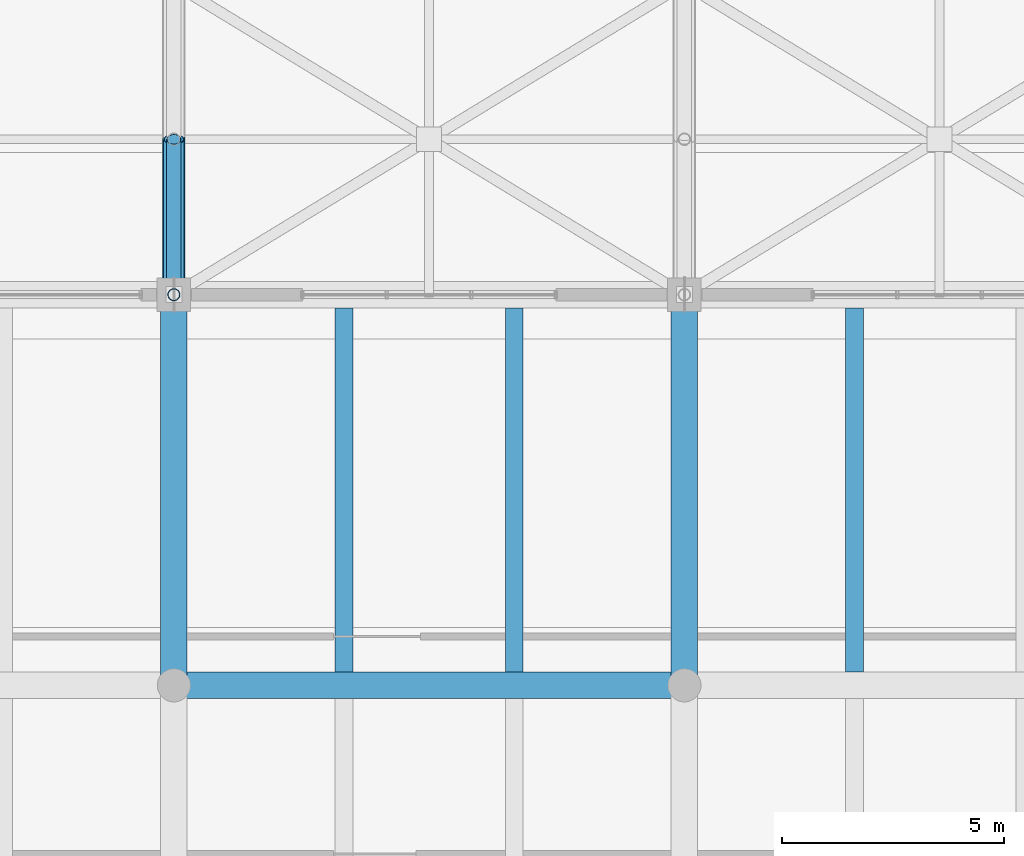
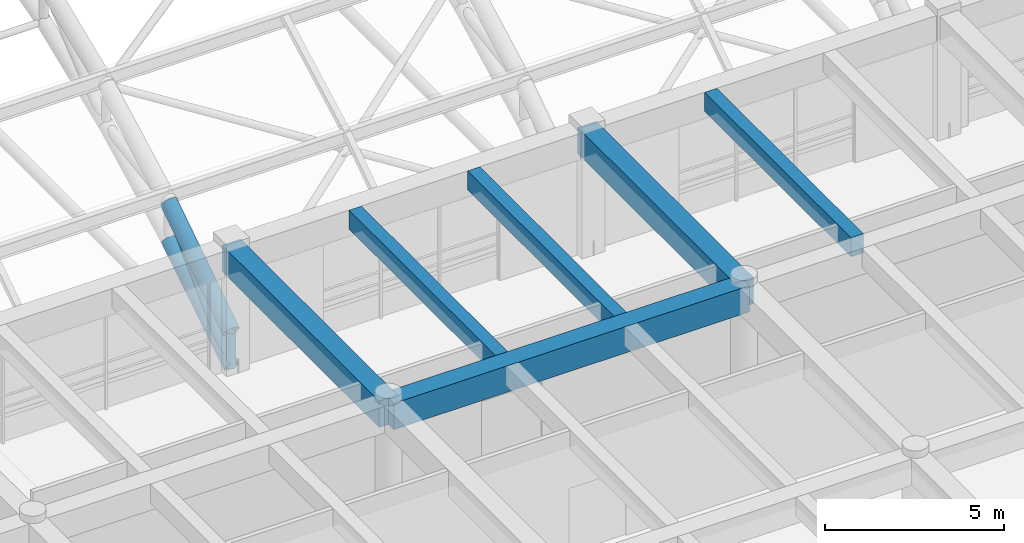
# One storey, part 35 of 154: 6 beams, 4 members.
"""IFC4 building model written with IfcOpenShell, lengths in metres."""

from ifc_helpers import new_model, si_unit, direction, frame, origin, origin_2d, place, context, subcontext, project, spatial, rectangle, hollow_circle, extrude, material, material_profile, profile_set, type_object, element, save


model = new_model("IFC4")

# Units and contexts
model_context = context("Model", 3, precision=1e-05, world=origin(), true_north=direction((0.0, 1.0)))
body_context = subcontext(model_context, "Body", "Model", "MODEL_VIEW")
ifc_project = project(units=[si_unit("LENGTHUNIT", "METRE"), si_unit("AREAUNIT", "SQUARE_METRE"), si_unit("VOLUMEUNIT", "CUBIC_METRE"), si_unit("PLANEANGLEUNIT", "RADIAN"), si_unit("MASSUNIT", "GRAM", prefix="KILO")], contexts=[model_context])

# Site, building, storey
site_placement = place(None, origin())
site = spatial("IfcSite", under=ifc_project, at=site_placement, CompositionType="ELEMENT")
building_placement = place(site_placement, origin())
building = spatial("IfcBuilding", under=site, at=building_placement, Name="Ologun Quay Terminus", CompositionType="ELEMENT")
storey_placement = place(building_placement, frame((0.0, 0.0, 13.800048828125)))
storey = spatial("IfcBuildingStorey", under=building, at=storey_placement, Name="L03", CompositionType="ELEMENT", Elevation=13.800048828125)

# Members
ifc_material_1 = material(Name="Steel S355", Category="steel")
ifc_material_profile_1 = material_profile(ifc_material_1, hollow_circle(Radius=0.136474609375, WallThickness=0.010009765625, at=origin_2d()), Name="CHS 273x10")
ifc_profile_set_1 = profile_set([ifc_material_profile_1], Name="Steel S355")
member_type_1 = type_object("IfcMemberType", Name="Arch Truss Vertical Post CHS273", PredefinedType="STRUT", material=ifc_profile_set_1)
member_1_placement = place(storey_placement, frame((80.5, 36.0, 0.0), z_axis=(0.0, 0.0, 1.0), x_axis=(1.0, 0.0, 0.0)))
element("IfcMember", 1, at=member_1_placement, inside=storey, type_object=member_type_1, Name="AW2 Arch Web Post 8-N0", PredefinedType="STRUT", context=body_context, shape_type="SweptSolid", body=[
    extrude(hollow_circle(Radius=0.136474609375, WallThickness=0.010009765625, at=origin_2d()), origin(), (0.0, 0.0, 1.0), 1.199951171875),
])
ifc_material_2 = material(Name="Steel S355", Category="steel")
ifc_material_profile_2 = material_profile(ifc_material_2, hollow_circle(Radius=0.161865234375, WallThickness=0.010009765625, at=origin_2d()), Name="CHS 323.9x10")
ifc_profile_set_2 = profile_set([ifc_material_profile_2], Name="Steel S355")
member_type_2 = type_object("IfcMemberType", Name="Arch Truss Web Diagonal CHS323", PredefinedType="BRACE", material=ifc_profile_set_2)
member_2_placement = place(storey_placement, frame((80.5, 36.0, 0.0), z_axis=(0.0, 0.707328773357, 0.706884719301), x_axis=(-1.0, 0.0, 0.0)))
element("IfcMember", 2, at=member_2_placement, inside=storey, type_object=member_type_2, Name="AW1 Arch Web Diagonal 8-P1", PredefinedType="BRACE", context=body_context, shape_type="SweptSolid", body=[
    extrude(hollow_circle(Radius=0.161865234375, WallThickness=0.010009765625, at=origin_2d()), origin(), (0.0, 0.0, 1.0), 4.9482421875),
])
ifc_material_3 = material(Name="Steel S355", Category="steel")
ifc_material_profile_3 = material_profile(ifc_material_3, hollow_circle(Radius=0.228515625, WallThickness=0.01611328125, at=origin_2d()), Name="CHS 457x16")
ifc_profile_set_3 = profile_set([ifc_material_profile_3], Name="Steel S355")
member_type_3 = type_object("IfcMemberType", Name="Parabolic Arch Bottom Chord CHS457", PredefinedType="CHORD", material=ifc_profile_set_3)
member_3_placement = place(storey_placement, frame((80.5, 36.0, 0.0), z_axis=(0.0, 0.845310912611, 0.534274705578), x_axis=(-1.0, 0.0, 0.0)))
element("IfcMember", 3, at=member_3_placement, inside=storey, type_object=member_type_3, Name="AC2 Arch Bottom Chord 8-P1", PredefinedType="CHORD", context=body_context, shape_type="SweptSolid", body=[
    extrude(hollow_circle(Radius=0.228515625, WallThickness=0.01611328125, at=origin_2d()), origin(), (0.0, 0.0, 1.0), 4.140380859375),
])
ifc_material_4 = material(Name="Steel S355", Category="steel")
ifc_material_profile_4 = material_profile(ifc_material_4, hollow_circle(Radius=0.25390625, WallThickness=0.01611328125, at=origin_2d()), Name="CHS 508x16")
ifc_profile_set_4 = profile_set([ifc_material_profile_4], Name="Steel S355")
member_type_4 = type_object("IfcMemberType", Name="Parabolic Arch Top Chord CHS508", PredefinedType="CHORD", material=ifc_profile_set_4)
member_4_placement = place(storey_placement, frame((80.5, 36.0, 1.199951171875), z_axis=(0.0, 0.835940905918, 0.548819461949), x_axis=(-1.0, 0.0, 0.0)))
element("IfcMember", 4, at=member_4_placement, inside=storey, type_object=member_type_4, Name="Arch Top Chord 8-P1", PredefinedType="CHORD", context=body_context, shape_type="SweptSolid", body=[
    extrude(hollow_circle(Radius=0.25390625, WallThickness=0.01611328125, at=origin_2d()), origin(), (0.0, 0.0, 1.0), 4.18701171875),
])

# Beams
ifc_material_5 = material(Name="Concrete C40/50", Category="concrete")
ifc_material_profile_5 = material_profile(ifc_material_5, rectangle(XDim=0.60009765625, YDim=0.89990234375, at=origin_2d()), Name="RC 600x900")
ifc_profile_set_5 = profile_set([ifc_material_profile_5], Name="Concrete C40/50")
beam_type_1 = type_object("IfcBeamType", Name="Station Frame Girder 600x900", PredefinedType="BEAM", material=ifc_profile_set_5)
beam_placement = place(storey_placement, frame((80.5, 27.199951171875, 3.800048828125), z_axis=(1.0, 0.0, 0.0), x_axis=(0.0, 1.0, 0.0)))
element("IfcBeam", 5, at=beam_placement, inside=storey, type_object=beam_type_1, Name="B3 Beam 8/D L03", PredefinedType="BEAM", context=body_context, shape_type="SweptSolid", body=[
    extrude(rectangle(XDim=0.60009765625, YDim=0.89990234375, at=origin_2d()), origin(), (0.0, 0.0, 1.0), 11.5),
])
for number, where, z_axis, x_axis, name in (
    (6, (80.5, 27.199951171875, 3.800048828125), (0.0, 1.0, 0.0), (-1.0, 0.0, 0.0), "B3 Beam 8/D L03"),
    (7, (92.0, 27.199951171875, 3.800048828125), (0.0, 1.0, 0.0), (-1.0, 0.0, 0.0), "B3 Beam 9/D L03"),
):
    element("IfcBeam", number, at=place(storey_placement, frame(where, z_axis=z_axis, x_axis=x_axis)), inside=storey, type_object=beam_type_1, Name=name, PredefinedType="BEAM", context=body_context, shape_type="SweptSolid", body=[
        extrude(rectangle(XDim=0.60009765625, YDim=0.89990234375, at=origin_2d()), origin(), (0.0, 0.0, 1.0), 8.800048828125),
    ])
ifc_material_6 = material(Name="Concrete C40/50", Category="concrete")
ifc_material_profile_6 = material_profile(ifc_material_6, rectangle(XDim=0.39990234375, YDim=0.64990234375, at=origin_2d()), Name="RC 400x650")
ifc_profile_set_6 = profile_set([ifc_material_profile_6], Name="Concrete C40/50")
beam_type_2 = type_object("IfcBeamType", Name="Station Secondary Joist 400x650", PredefinedType="JOIST", material=ifc_profile_set_6)
for number, where, z_axis, x_axis, name in (
    (8, (84.333251953125, 27.5, 3.925048828125), (0.0, 1.0, 0.0), (-1.0, 0.0, 0.0), "J1 Beam 8/D L03"),
    (9, (88.166748046875, 27.5, 3.925048828125), (0.0, 1.0, 0.0), (-1.0, 0.0, 0.0), "J1 Beam 8/D L03"),
    (10, (95.833251953125, 27.5, 3.925048828125), (0.0, 1.0, 0.0), (-1.0, 0.0, 0.0), "J1 Beam 9/D L03"),
):
    element("IfcBeam", number, at=place(storey_placement, frame(where, z_axis=z_axis, x_axis=x_axis)), inside=storey, type_object=beam_type_2, Name=name, PredefinedType="JOIST", context=body_context, shape_type="SweptSolid", body=[
        extrude(rectangle(XDim=0.39990234375, YDim=0.64990234375, at=origin_2d()), origin(), (0.0, 0.0, 1.0), 8.199951171875),
    ])

save(model, "model.ifc")
